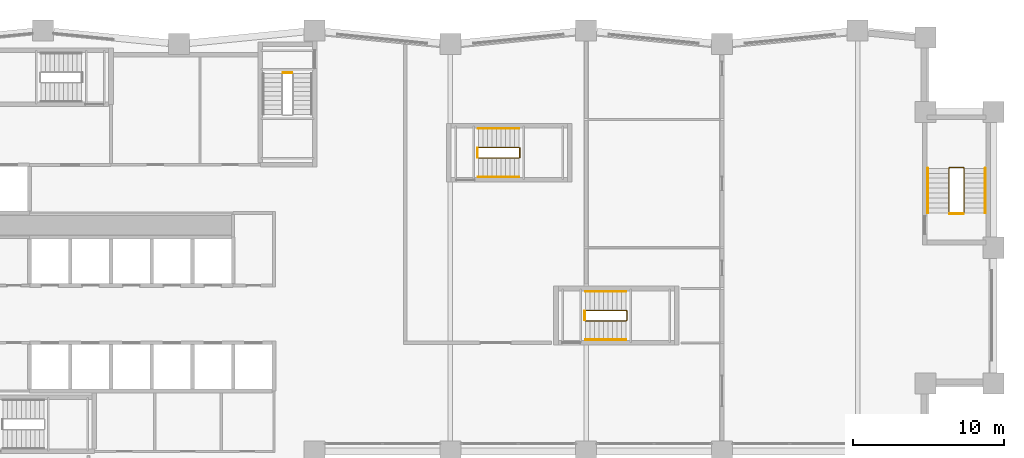
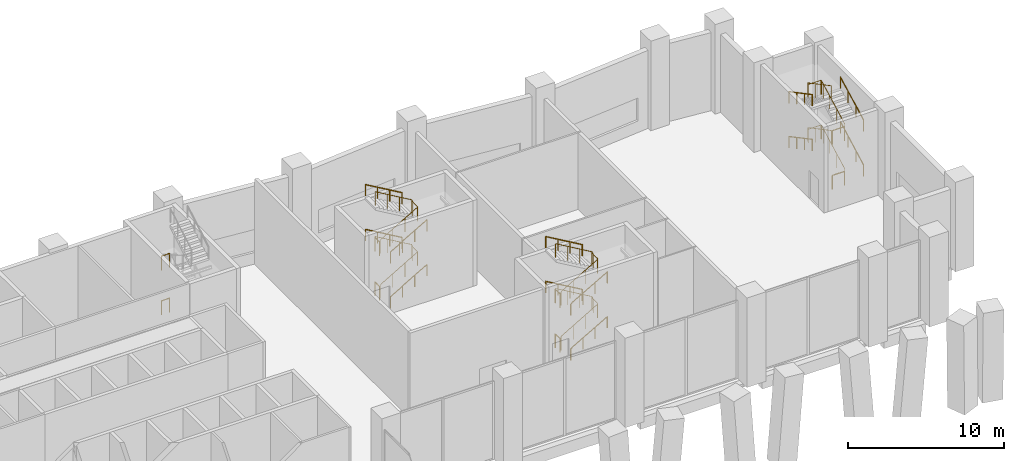
# One storey, part 18 of 18: 26 railings.
"""IFC4 building model written with IfcOpenShell, lengths in metres."""

from ifc_helpers import new_model, si_unit, direction, frame, origin, origin_2d, place, context, subcontext, project, spatial, circle, extrude, material, type_object, element, save


model = new_model("IFC4")

# Units and contexts
model_context = context("Model", 3, precision=1e-05, world=origin(), true_north=direction((0.0, 1.0)))
body_context = subcontext(model_context, "Body", "Model", "MODEL_VIEW")
ifc_project = project(units=[si_unit("LENGTHUNIT", "METRE"), si_unit("AREAUNIT", "SQUARE_METRE"), si_unit("VOLUMEUNIT", "CUBIC_METRE"), si_unit("PLANEANGLEUNIT", "RADIAN"), si_unit("MASSUNIT", "GRAM", prefix="KILO")], contexts=[model_context])

# Site, building, storey
site_placement = place(None, origin())
site = spatial("IfcSite", under=ifc_project, at=site_placement, CompositionType="ELEMENT")
building_placement = place(site_placement, origin())
building = spatial("IfcBuilding", under=site, at=building_placement, Name="Brondeck Convention Tower", CompositionType="ELEMENT")
storey_placement = place(building_placement, frame((0.0, 0.0, 7.5)))
storey = spatial("IfcBuildingStorey", under=building, at=storey_placement, Name="L01", CompositionType="ELEMENT", Elevation=7.5)

# Railings
ifc_material = material(Name="Steel S355", Category="steel")
railing_type_1 = type_object("IfcRailingType", Name="Stair guard 1100", PredefinedType="GUARDRAIL", material=ifc_material)
for number, where, name in (
    (1, (24.89990234375, 61.10009765625, 3.5), "L01 ST-2 stair guard 2"),
    (2, (24.89990234375, 61.10009765625, 0.0), "L01 ST-2 stair guard 4"),
):
    element("IfcRailing", number, at=place(storey_placement, frame(where)), inside=storey, type_object=railing_type_1, Name=name, PredefinedType="GUARDRAIL", context=body_context, shape_type="SweptSolid", body=[
        extrude(circle(Radius=0.02392578125, at=origin_2d()), frame((0.0, 0.0, 1.076171875), z_axis=(1.0, 0.0, 0.0), x_axis=(0.0, 1.0, 0.0)), (0.0, 0.0, 1.0), 0.60009765625),
        extrude(circle(Radius=0.02099609375, at=origin_2d()), origin(), (0.0, 0.0, 1.0), 1.052001953125),
        extrude(circle(Radius=0.02099609375, at=origin_2d()), frame((0.60009765625, 0.0, 0.0)), (0.0, 0.0, 1.0), 1.052001953125),
    ])
railing_1_placement = place(storey_placement, frame((37.85009765625, 55.449951171875, 0.175048828125)))
element("IfcRailing", 3, at=railing_1_placement, inside=storey, type_object=railing_type_1, Name="L01 ST-AE stair guard 1", PredefinedType="GUARDRAIL", context=body_context, shape_type="SweptSolid", body=[
    extrude(circle(Radius=0.02392578125, at=origin_2d()), frame((0.0, 0.0, 1.076171875), z_axis=(0.863781733769, 0.0, 0.503866169142), x_axis=(0.0, 1.0, 0.0)), (0.0, 0.0, 1.0), 3.125732421875),
    extrude(circle(Radius=0.02392578125, at=origin_2d()), frame((2.699951171875, 0.0, 2.65087890625), z_axis=(0.707106781187, 0.707106781187, 0.0), x_axis=(-0.707106781187, 0.707106781187, 0.0)), (0.0, 0.0, 1.0), 0.07080078125),
    extrude(circle(Radius=0.02392578125, at=origin_2d()), frame((2.75, 0.050048828125, 2.65087890625), z_axis=(0.0, 1.0, 0.0), x_axis=(-1.0, 0.0, 0.0)), (0.0, 0.0, 1.0), 0.60009765625),
    extrude(circle(Radius=0.02392578125, at=origin_2d()), frame((2.75, 0.650146484375, 2.65087890625), z_axis=(-0.265155923931, 0.263862480399, 0.927399011991), x_axis=(-0.705375805398, -0.708833529934, 0.0)), (0.0, 0.0, 1.0), 0.188720703125),
    extrude(circle(Radius=0.02392578125, at=origin_2d()), frame((2.699951171875, 0.699951171875, 2.826171875), z_axis=(-0.863781733769, 0.0, 0.503866169142), x_axis=(0.0, -1.0, 0.0)), (0.0, 0.0, 1.0), 3.125732421875),
    extrude(circle(Radius=0.02099609375, at=origin_2d()), origin(), (0.0, 0.0, 1.0), 1.052001953125),
    extrude(circle(Radius=0.02099609375, at=origin_2d()), frame((0.89990234375, 0.0, 0.52490234375)), (0.0, 0.0, 1.0), 1.052001953125),
    extrude(circle(Radius=0.02099609375, at=origin_2d()), frame((1.800048828125, 0.0, 1.050048828125)), (0.0, 0.0, 1.0), 1.052001953125),
    extrude(circle(Radius=0.02099609375, at=origin_2d()), frame((2.699951171875, 0.0, 1.574951171875)), (0.0, 0.0, 1.0), 1.052001953125),
    extrude(circle(Radius=0.02099609375, at=origin_2d()), frame((2.75, 0.050048828125, 1.574951171875)), (0.0, 0.0, 1.0), 1.052001953125),
    extrude(circle(Radius=0.02099609375, at=origin_2d()), frame((2.75, 0.650146484375, 1.574951171875)), (0.0, 0.0, 1.0), 1.052001953125),
    extrude(circle(Radius=0.02099609375, at=origin_2d()), frame((2.699951171875, 0.699951171875, 1.75)), (0.0, 0.0, 1.0), 1.052001953125),
    extrude(circle(Radius=0.02099609375, at=origin_2d()), frame((1.800048828125, 0.699951171875, 2.27490234375)), (0.0, 0.0, 1.0), 1.052001953125),
    extrude(circle(Radius=0.02099609375, at=origin_2d()), frame((0.89990234375, 0.699951171875, 2.800048828125)), (0.0, 0.0, 1.0), 1.052001953125),
    extrude(circle(Radius=0.02099609375, at=origin_2d()), frame((0.0, 0.699951171875, 3.324951171875)), (0.0, 0.0, 1.0), 1.052001953125),
])
railing_2_placement = place(storey_placement, frame((37.800048828125, 55.5, 3.5)))
element("IfcRailing", 4, at=railing_2_placement, inside=storey, type_object=railing_type_1, Name="L01 ST-AE stair guard 2", PredefinedType="GUARDRAIL", context=body_context, shape_type="SweptSolid", body=[
    extrude(circle(Radius=0.02392578125, at=origin_2d()), frame((0.0, 0.0, 1.076171875), z_axis=(0.0, 1.0, 0.0), x_axis=(-1.0, 0.0, 0.0)), (0.0, 0.0, 1.0), 0.60009765625),
    extrude(circle(Radius=0.02099609375, at=origin_2d()), origin(), (0.0, 0.0, 1.0), 1.052001953125),
    extrude(circle(Radius=0.02099609375, at=origin_2d()), frame((0.0, 0.60009765625, 0.0)), (0.0, 0.0, 1.0), 1.052001953125),
])
railing_3_placement = place(storey_placement, frame((37.85009765625, 55.449951171875, 3.675048828125)))
element("IfcRailing", 5, at=railing_3_placement, inside=storey, type_object=railing_type_1, Name="L01 ST-AE stair guard 3", PredefinedType="GUARDRAIL", context=body_context, shape_type="SweptSolid", body=[
    extrude(circle(Radius=0.02392578125, at=origin_2d()), frame((0.0, 0.0, 1.076171875), z_axis=(0.863781733769, 0.0, 0.503866169142), x_axis=(0.0, 1.0, 0.0)), (0.0, 0.0, 1.0), 3.125732421875),
    extrude(circle(Radius=0.02392578125, at=origin_2d()), frame((2.699951171875, 0.0, 2.65087890625), z_axis=(0.707106781187, 0.707106781187, 0.0), x_axis=(-0.707106781187, 0.707106781187, 0.0)), (0.0, 0.0, 1.0), 0.07080078125),
    extrude(circle(Radius=0.02392578125, at=origin_2d()), frame((2.75, 0.050048828125, 2.65087890625), z_axis=(0.0, 1.0, 0.0), x_axis=(-1.0, 0.0, 0.0)), (0.0, 0.0, 1.0), 0.60009765625),
    extrude(circle(Radius=0.02392578125, at=origin_2d()), frame((2.75, 0.650146484375, 2.65087890625), z_axis=(-0.265155923931, 0.263862480399, 0.927399011991), x_axis=(-0.705375805398, -0.708833529934, 0.0)), (0.0, 0.0, 1.0), 0.188720703125),
    extrude(circle(Radius=0.02392578125, at=origin_2d()), frame((2.699951171875, 0.699951171875, 2.826171875), z_axis=(-0.863781733769, 0.0, 0.503866169142), x_axis=(0.0, -1.0, 0.0)), (0.0, 0.0, 1.0), 3.125732421875),
    extrude(circle(Radius=0.02099609375, at=origin_2d()), origin(), (0.0, 0.0, 1.0), 1.052001953125),
    extrude(circle(Radius=0.02099609375, at=origin_2d()), frame((0.89990234375, 0.0, 0.52490234375)), (0.0, 0.0, 1.0), 1.052001953125),
    extrude(circle(Radius=0.02099609375, at=origin_2d()), frame((1.800048828125, 0.0, 1.050048828125)), (0.0, 0.0, 1.0), 1.052001953125),
    extrude(circle(Radius=0.02099609375, at=origin_2d()), frame((2.699951171875, 0.0, 1.574951171875)), (0.0, 0.0, 1.0), 1.052001953125),
    extrude(circle(Radius=0.02099609375, at=origin_2d()), frame((2.75, 0.050048828125, 1.574951171875)), (0.0, 0.0, 1.0), 1.052001953125),
    extrude(circle(Radius=0.02099609375, at=origin_2d()), frame((2.75, 0.650146484375, 1.574951171875)), (0.0, 0.0, 1.0), 1.052001953125),
    extrude(circle(Radius=0.02099609375, at=origin_2d()), frame((2.699951171875, 0.699951171875, 1.75)), (0.0, 0.0, 1.0), 1.052001953125),
    extrude(circle(Radius=0.02099609375, at=origin_2d()), frame((1.800048828125, 0.699951171875, 2.27490234375)), (0.0, 0.0, 1.0), 1.052001953125),
    extrude(circle(Radius=0.02099609375, at=origin_2d()), frame((0.89990234375, 0.699951171875, 2.800048828125)), (0.0, 0.0, 1.0), 1.052001953125),
    extrude(circle(Radius=0.02099609375, at=origin_2d()), frame((0.0, 0.699951171875, 3.324951171875)), (0.0, 0.0, 1.0), 1.052001953125),
])
railing_4_placement = place(storey_placement, frame((37.800048828125, 55.5, 0.0)))
element("IfcRailing", 6, at=railing_4_placement, inside=storey, type_object=railing_type_1, Name="L01 ST-AE stair guard 4", PredefinedType="GUARDRAIL", context=body_context, shape_type="SweptSolid", body=[
    extrude(circle(Radius=0.02392578125, at=origin_2d()), frame((0.0, 0.0, 1.076171875), z_axis=(0.0, 1.0, 0.0), x_axis=(-1.0, 0.0, 0.0)), (0.0, 0.0, 1.0), 0.60009765625),
    extrude(circle(Radius=0.02099609375, at=origin_2d()), origin(), (0.0, 0.0, 1.0), 1.052001953125),
    extrude(circle(Radius=0.02099609375, at=origin_2d()), frame((0.0, 0.60009765625, 0.0)), (0.0, 0.0, 1.0), 1.052001953125),
])
railing_5_placement = place(storey_placement, frame((44.949951171875, 44.64990234375, 0.175048828125)))
element("IfcRailing", 7, at=railing_5_placement, inside=storey, type_object=railing_type_1, Name="L01 ST-AF stair guard 1", PredefinedType="GUARDRAIL", context=body_context, shape_type="SweptSolid", body=[
    extrude(circle(Radius=0.02392578125, at=origin_2d()), frame((0.0, 0.0, 1.076171875), z_axis=(0.863781733769, 0.0, 0.503866169142), x_axis=(0.0, 1.0, 0.0)), (0.0, 0.0, 1.0), 3.125732421875),
    extrude(circle(Radius=0.02392578125, at=origin_2d()), frame((2.699951171875, 0.0, 2.65087890625), z_axis=(0.707106781187, 0.707106781187, 0.0), x_axis=(-0.707106781187, 0.707106781187, 0.0)), (0.0, 0.0, 1.0), 0.07080078125),
    extrude(circle(Radius=0.02392578125, at=origin_2d()), frame((2.75, 0.050048828125, 2.65087890625), z_axis=(0.0, 1.0, 0.0), x_axis=(-1.0, 0.0, 0.0)), (0.0, 0.0, 1.0), 0.60009765625),
    extrude(circle(Radius=0.02392578125, at=origin_2d()), frame((2.75, 0.650146484375, 2.65087890625), z_axis=(-0.265065253269, 0.265065253269, 0.927081885822), x_axis=(-0.707106781187, -0.707106781187, 0.0)), (0.0, 0.0, 1.0), 0.188720703125),
    extrude(circle(Radius=0.02392578125, at=origin_2d()), frame((2.699951171875, 0.7001953125, 2.826171875), z_axis=(-0.863781733769, 0.0, 0.503866169142), x_axis=(0.0, -1.0, 0.0)), (0.0, 0.0, 1.0), 3.125732421875),
    extrude(circle(Radius=0.02099609375, at=origin_2d()), origin(), (0.0, 0.0, 1.0), 1.052001953125),
    extrude(circle(Radius=0.02099609375, at=origin_2d()), frame((0.89990234375, 0.0, 0.52490234375)), (0.0, 0.0, 1.0), 1.052001953125),
    extrude(circle(Radius=0.02099609375, at=origin_2d()), frame((1.800048828125, 0.0, 1.050048828125)), (0.0, 0.0, 1.0), 1.052001953125),
    extrude(circle(Radius=0.02099609375, at=origin_2d()), frame((2.699951171875, 0.0, 1.574951171875)), (0.0, 0.0, 1.0), 1.052001953125),
    extrude(circle(Radius=0.02099609375, at=origin_2d()), frame((2.75, 0.050048828125, 1.574951171875)), (0.0, 0.0, 1.0), 1.052001953125),
    extrude(circle(Radius=0.02099609375, at=origin_2d()), frame((2.75, 0.650146484375, 1.574951171875)), (0.0, 0.0, 1.0), 1.052001953125),
    extrude(circle(Radius=0.02099609375, at=origin_2d()), frame((2.699951171875, 0.7001953125, 1.75)), (0.0, 0.0, 1.0), 1.052001953125),
    extrude(circle(Radius=0.02099609375, at=origin_2d()), frame((1.800048828125, 0.7001953125, 2.27490234375)), (0.0, 0.0, 1.0), 1.052001953125),
    extrude(circle(Radius=0.02099609375, at=origin_2d()), frame((0.89990234375, 0.7001953125, 2.800048828125)), (0.0, 0.0, 1.0), 1.052001953125),
    extrude(circle(Radius=0.02099609375, at=origin_2d()), frame((0.0, 0.7001953125, 3.324951171875)), (0.0, 0.0, 1.0), 1.052001953125),
])
railing_6_placement = place(storey_placement, frame((44.89990234375, 44.699951171875, 3.5)))
element("IfcRailing", 8, at=railing_6_placement, inside=storey, type_object=railing_type_1, Name="L01 ST-AF stair guard 2", PredefinedType="GUARDRAIL", context=body_context, shape_type="SweptSolid", body=[
    extrude(circle(Radius=0.02392578125, at=origin_2d()), frame((0.0, 0.0, 1.076171875), z_axis=(0.0, 1.0, 0.0), x_axis=(-1.0, 0.0, 0.0)), (0.0, 0.0, 1.0), 0.60009765625),
    extrude(circle(Radius=0.02099609375, at=origin_2d()), origin(), (0.0, 0.0, 1.0), 1.052001953125),
    extrude(circle(Radius=0.02099609375, at=origin_2d()), frame((0.0, 0.60009765625, 0.0)), (0.0, 0.0, 1.0), 1.052001953125),
])
railing_7_placement = place(storey_placement, frame((44.949951171875, 44.64990234375, 3.675048828125)))
element("IfcRailing", 9, at=railing_7_placement, inside=storey, type_object=railing_type_1, Name="L01 ST-AF stair guard 3", PredefinedType="GUARDRAIL", context=body_context, shape_type="SweptSolid", body=[
    extrude(circle(Radius=0.02392578125, at=origin_2d()), frame((0.0, 0.0, 1.076171875), z_axis=(0.863781733769, 0.0, 0.503866169142), x_axis=(0.0, 1.0, 0.0)), (0.0, 0.0, 1.0), 3.125732421875),
    extrude(circle(Radius=0.02392578125, at=origin_2d()), frame((2.699951171875, 0.0, 2.65087890625), z_axis=(0.707106781187, 0.707106781187, 0.0), x_axis=(-0.707106781187, 0.707106781187, 0.0)), (0.0, 0.0, 1.0), 0.07080078125),
    extrude(circle(Radius=0.02392578125, at=origin_2d()), frame((2.75, 0.050048828125, 2.65087890625), z_axis=(0.0, 1.0, 0.0), x_axis=(-1.0, 0.0, 0.0)), (0.0, 0.0, 1.0), 0.60009765625),
    extrude(circle(Radius=0.02392578125, at=origin_2d()), frame((2.75, 0.650146484375, 2.65087890625), z_axis=(-0.265065253269, 0.265065253269, 0.927081885822), x_axis=(-0.707106781187, -0.707106781187, 0.0)), (0.0, 0.0, 1.0), 0.188720703125),
    extrude(circle(Radius=0.02392578125, at=origin_2d()), frame((2.699951171875, 0.7001953125, 2.826171875), z_axis=(-0.863781733769, 0.0, 0.503866169142), x_axis=(0.0, -1.0, 0.0)), (0.0, 0.0, 1.0), 3.125732421875),
    extrude(circle(Radius=0.02099609375, at=origin_2d()), origin(), (0.0, 0.0, 1.0), 1.052001953125),
    extrude(circle(Radius=0.02099609375, at=origin_2d()), frame((0.89990234375, 0.0, 0.52490234375)), (0.0, 0.0, 1.0), 1.052001953125),
    extrude(circle(Radius=0.02099609375, at=origin_2d()), frame((1.800048828125, 0.0, 1.050048828125)), (0.0, 0.0, 1.0), 1.052001953125),
    extrude(circle(Radius=0.02099609375, at=origin_2d()), frame((2.699951171875, 0.0, 1.574951171875)), (0.0, 0.0, 1.0), 1.052001953125),
    extrude(circle(Radius=0.02099609375, at=origin_2d()), frame((2.75, 0.050048828125, 1.574951171875)), (0.0, 0.0, 1.0), 1.052001953125),
    extrude(circle(Radius=0.02099609375, at=origin_2d()), frame((2.75, 0.650146484375, 1.574951171875)), (0.0, 0.0, 1.0), 1.052001953125),
    extrude(circle(Radius=0.02099609375, at=origin_2d()), frame((2.699951171875, 0.7001953125, 1.75)), (0.0, 0.0, 1.0), 1.052001953125),
    extrude(circle(Radius=0.02099609375, at=origin_2d()), frame((1.800048828125, 0.7001953125, 2.27490234375)), (0.0, 0.0, 1.0), 1.052001953125),
    extrude(circle(Radius=0.02099609375, at=origin_2d()), frame((0.89990234375, 0.7001953125, 2.800048828125)), (0.0, 0.0, 1.0), 1.052001953125),
    extrude(circle(Radius=0.02099609375, at=origin_2d()), frame((0.0, 0.7001953125, 3.324951171875)), (0.0, 0.0, 1.0), 1.052001953125),
])
railing_8_placement = place(storey_placement, frame((44.89990234375, 44.699951171875, 0.0)))
element("IfcRailing", 10, at=railing_8_placement, inside=storey, type_object=railing_type_1, Name="L01 ST-AF stair guard 4", PredefinedType="GUARDRAIL", context=body_context, shape_type="SweptSolid", body=[
    extrude(circle(Radius=0.02392578125, at=origin_2d()), frame((0.0, 0.0, 1.076171875), z_axis=(0.0, 1.0, 0.0), x_axis=(-1.0, 0.0, 0.0)), (0.0, 0.0, 1.0), 0.60009765625),
    extrude(circle(Radius=0.02099609375, at=origin_2d()), origin(), (0.0, 0.0, 1.0), 1.052001953125),
    extrude(circle(Radius=0.02099609375, at=origin_2d()), frame((0.0, 0.60009765625, 0.0)), (0.0, 0.0, 1.0), 1.052001953125),
])
railing_9_placement = place(storey_placement, frame((70.050048828125, 51.800048828125, 0.175048828125)))
element("IfcRailing", 11, at=railing_9_placement, inside=storey, type_object=railing_type_1, Name="L01 PS-1 stair guard 1", PredefinedType="GUARDRAIL", context=body_context, shape_type="SweptSolid", body=[
    extrude(circle(Radius=0.02392578125, at=origin_2d()), frame((0.0, 0.0, 1.076171875), z_axis=(0.0, 0.88346620102, 0.468494900352), x_axis=(-1.0, 0.0, 0.0)), (0.0, 0.0, 1.0), 3.36181640625),
    extrude(circle(Radius=0.02392578125, at=origin_2d()), frame((0.0, 2.969970703125, 2.65087890625), z_axis=(-0.707106781187, 0.707106781187, 0.0), x_axis=(-0.707106781187, -0.707106781187, 0.0)), (0.0, 0.0, 1.0), 0.07080078125),
    extrude(circle(Radius=0.02392578125, at=origin_2d()), frame((-0.050048828125, 3.02001953125, 2.65087890625), z_axis=(-1.0, 0.0, 0.0), x_axis=(0.0, -1.0, 0.0)), (0.0, 0.0, 1.0), 0.89990234375),
    extrude(circle(Radius=0.02392578125, at=origin_2d()), frame((-0.949951171875, 3.02001953125, 2.65087890625), z_axis=(-0.265065253269, -0.265065253269, 0.927081885822), x_axis=(0.707106781187, -0.707106781187, 0.0)), (0.0, 0.0, 1.0), 0.188720703125),
    extrude(circle(Radius=0.02392578125, at=origin_2d()), frame((-1.0, 2.969970703125, 2.826171875), z_axis=(0.0, -0.88346620102, 0.468494900352), x_axis=(1.0, 0.0, 0.0)), (0.0, 0.0, 1.0), 3.36181640625),
    extrude(circle(Radius=0.02099609375, at=origin_2d()), origin(), (0.0, 0.0, 1.0), 1.052001953125),
    extrude(circle(Radius=0.02099609375, at=origin_2d()), frame((0.0, 0.989990234375, 0.52490234375)), (0.0, 0.0, 1.0), 1.052001953125),
    extrude(circle(Radius=0.02099609375, at=origin_2d()), frame((0.0, 1.97998046875, 1.050048828125)), (0.0, 0.0, 1.0), 1.052001953125),
    extrude(circle(Radius=0.02099609375, at=origin_2d()), frame((0.0, 2.969970703125, 1.574951171875)), (0.0, 0.0, 1.0), 1.052001953125),
    extrude(circle(Radius=0.02099609375, at=origin_2d()), frame((-0.050048828125, 3.02001953125, 1.574951171875)), (0.0, 0.0, 1.0), 1.052001953125),
    extrude(circle(Radius=0.02099609375, at=origin_2d()), frame((-0.949951171875, 3.02001953125, 1.574951171875)), (0.0, 0.0, 1.0), 1.052001953125),
    extrude(circle(Radius=0.02099609375, at=origin_2d()), frame((-1.0, 2.969970703125, 1.75)), (0.0, 0.0, 1.0), 1.052001953125),
    extrude(circle(Radius=0.02099609375, at=origin_2d()), frame((-1.0, 1.97998046875, 2.27490234375)), (0.0, 0.0, 1.0), 1.052001953125),
    extrude(circle(Radius=0.02099609375, at=origin_2d()), frame((-1.0, 0.989990234375, 2.800048828125)), (0.0, 0.0, 1.0), 1.052001953125),
    extrude(circle(Radius=0.02099609375, at=origin_2d()), frame((-1.0, 0.0, 3.324951171875)), (0.0, 0.0, 1.0), 1.052001953125),
])
railing_10_placement = place(storey_placement, frame((70.0, 51.75, 3.5)))
element("IfcRailing", 12, at=railing_10_placement, inside=storey, type_object=railing_type_1, Name="L01 PS-1 stair guard 2", PredefinedType="GUARDRAIL", context=body_context, shape_type="SweptSolid", body=[
    extrude(circle(Radius=0.02392578125, at=origin_2d()), frame((0.0, 0.0, 1.076171875), z_axis=(-1.0, 0.0, 0.0), x_axis=(0.0, -1.0, 0.0)), (0.0, 0.0, 1.0), 0.89990234375),
    extrude(circle(Radius=0.02099609375, at=origin_2d()), origin(), (0.0, 0.0, 1.0), 1.052001953125),
    extrude(circle(Radius=0.02099609375, at=origin_2d()), frame((-0.89990234375, 0.0, 0.0)), (0.0, 0.0, 1.0), 1.052001953125),
])
railing_11_placement = place(storey_placement, frame((70.050048828125, 51.800048828125, 3.675048828125)))
element("IfcRailing", 13, at=railing_11_placement, inside=storey, type_object=railing_type_1, Name="L01 PS-1 stair guard 3", PredefinedType="GUARDRAIL", context=body_context, shape_type="SweptSolid", body=[
    extrude(circle(Radius=0.02392578125, at=origin_2d()), frame((0.0, 0.0, 1.076171875), z_axis=(0.0, 0.88346620102, 0.468494900352), x_axis=(-1.0, 0.0, 0.0)), (0.0, 0.0, 1.0), 3.36181640625),
    extrude(circle(Radius=0.02392578125, at=origin_2d()), frame((0.0, 2.969970703125, 2.65087890625), z_axis=(-0.707106781187, 0.707106781187, 0.0), x_axis=(-0.707106781187, -0.707106781187, 0.0)), (0.0, 0.0, 1.0), 0.07080078125),
    extrude(circle(Radius=0.02392578125, at=origin_2d()), frame((-0.050048828125, 3.02001953125, 2.65087890625), z_axis=(-1.0, 0.0, 0.0), x_axis=(0.0, -1.0, 0.0)), (0.0, 0.0, 1.0), 0.89990234375),
    extrude(circle(Radius=0.02392578125, at=origin_2d()), frame((-0.949951171875, 3.02001953125, 2.65087890625), z_axis=(-0.265065253269, -0.265065253269, 0.927081885822), x_axis=(0.707106781187, -0.707106781187, 0.0)), (0.0, 0.0, 1.0), 0.188720703125),
    extrude(circle(Radius=0.02392578125, at=origin_2d()), frame((-1.0, 2.969970703125, 2.826171875), z_axis=(0.0, -0.88346620102, 0.468494900352), x_axis=(1.0, 0.0, 0.0)), (0.0, 0.0, 1.0), 3.36181640625),
    extrude(circle(Radius=0.02099609375, at=origin_2d()), origin(), (0.0, 0.0, 1.0), 1.052001953125),
    extrude(circle(Radius=0.02099609375, at=origin_2d()), frame((0.0, 0.989990234375, 0.52490234375)), (0.0, 0.0, 1.0), 1.052001953125),
    extrude(circle(Radius=0.02099609375, at=origin_2d()), frame((0.0, 1.97998046875, 1.050048828125)), (0.0, 0.0, 1.0), 1.052001953125),
    extrude(circle(Radius=0.02099609375, at=origin_2d()), frame((0.0, 2.969970703125, 1.574951171875)), (0.0, 0.0, 1.0), 1.052001953125),
    extrude(circle(Radius=0.02099609375, at=origin_2d()), frame((-0.050048828125, 3.02001953125, 1.574951171875)), (0.0, 0.0, 1.0), 1.052001953125),
    extrude(circle(Radius=0.02099609375, at=origin_2d()), frame((-0.949951171875, 3.02001953125, 1.574951171875)), (0.0, 0.0, 1.0), 1.052001953125),
    extrude(circle(Radius=0.02099609375, at=origin_2d()), frame((-1.0, 2.969970703125, 1.75)), (0.0, 0.0, 1.0), 1.052001953125),
    extrude(circle(Radius=0.02099609375, at=origin_2d()), frame((-1.0, 1.97998046875, 2.27490234375)), (0.0, 0.0, 1.0), 1.052001953125),
    extrude(circle(Radius=0.02099609375, at=origin_2d()), frame((-1.0, 0.989990234375, 2.800048828125)), (0.0, 0.0, 1.0), 1.052001953125),
    extrude(circle(Radius=0.02099609375, at=origin_2d()), frame((-1.0, 0.0, 3.324951171875)), (0.0, 0.0, 1.0), 1.052001953125),
])
railing_12_placement = place(storey_placement, frame((70.0, 51.75, 0.0)))
element("IfcRailing", 14, at=railing_12_placement, inside=storey, type_object=railing_type_1, Name="L01 PS-1 stair guard 4", PredefinedType="GUARDRAIL", context=body_context, shape_type="SweptSolid", body=[
    extrude(circle(Radius=0.02392578125, at=origin_2d()), frame((0.0, 0.0, 1.076171875), z_axis=(-1.0, 0.0, 0.0), x_axis=(0.0, -1.0, 0.0)), (0.0, 0.0, 1.0), 0.89990234375),
    extrude(circle(Radius=0.02099609375, at=origin_2d()), origin(), (0.0, 0.0, 1.0), 1.052001953125),
    extrude(circle(Radius=0.02099609375, at=origin_2d()), frame((-0.89990234375, 0.0, 0.0)), (0.0, 0.0, 1.0), 1.052001953125),
])
railing_type_2 = type_object("IfcRailingType", Name="Stair handrail", PredefinedType="HANDRAIL", material=ifc_material)
railing_13_placement = place(storey_placement, frame((37.85009765625, 54.199951171875, 0.175048828125)))
element("IfcRailing", 15, at=railing_13_placement, inside=storey, type_object=railing_type_2, Name="L01 ST-AE stair handrail 1", PredefinedType="HANDRAIL", context=body_context, shape_type="SweptSolid", body=[
    extrude(circle(Radius=0.02392578125, at=origin_2d()), frame((0.0, 0.0, 0.8759765625), z_axis=(0.863781733769, 0.0, 0.503866169142), x_axis=(0.0, 1.0, 0.0)), (0.0, 0.0, 1.0), 3.125732421875),
    extrude(circle(Radius=0.02099609375, at=origin_2d()), origin(), (0.0, 0.0, 1.0), 0.851806640625),
    extrude(circle(Radius=0.02099609375, at=origin_2d()), frame((0.89990234375, 0.0, 0.52490234375)), (0.0, 0.0, 1.0), 0.851806640625),
    extrude(circle(Radius=0.02099609375, at=origin_2d()), frame((1.800048828125, 0.0, 1.050048828125)), (0.0, 0.0, 1.0), 0.851806640625),
    extrude(circle(Radius=0.02099609375, at=origin_2d()), frame((2.699951171875, 0.0, 1.574951171875)), (0.0, 0.0, 1.0), 0.851806640625),
])
railing_14_placement = place(storey_placement, frame((40.550048828125, 57.39990234375, 1.925048828125)))
element("IfcRailing", 16, at=railing_14_placement, inside=storey, type_object=railing_type_2, Name="L01 ST-AE stair handrail 2", PredefinedType="HANDRAIL", context=body_context, shape_type="SweptSolid", body=[
    extrude(circle(Radius=0.02392578125, at=origin_2d()), frame((0.0, 0.0, 0.8759765625), z_axis=(-0.863781733769, 0.0, 0.503866169142), x_axis=(0.0, -1.0, 0.0)), (0.0, 0.0, 1.0), 3.125732421875),
    extrude(circle(Radius=0.02099609375, at=origin_2d()), origin(), (0.0, 0.0, 1.0), 0.851806640625),
    extrude(circle(Radius=0.02099609375, at=origin_2d()), frame((-0.89990234375, 0.0, 0.52490234375)), (0.0, 0.0, 1.0), 0.851806640625),
    extrude(circle(Radius=0.02099609375, at=origin_2d()), frame((-1.800048828125, 0.0, 1.050048828125)), (0.0, 0.0, 1.0), 0.851806640625),
    extrude(circle(Radius=0.02099609375, at=origin_2d()), frame((-2.699951171875, 0.0, 1.574951171875)), (0.0, 0.0, 1.0), 0.851806640625),
])
railing_15_placement = place(storey_placement, frame((37.85009765625, 54.199951171875, 3.675048828125)))
element("IfcRailing", 17, at=railing_15_placement, inside=storey, type_object=railing_type_2, Name="L01 ST-AE stair handrail 3", PredefinedType="HANDRAIL", context=body_context, shape_type="SweptSolid", body=[
    extrude(circle(Radius=0.02392578125, at=origin_2d()), frame((0.0, 0.0, 0.8759765625), z_axis=(0.863781733769, 0.0, 0.503866169142), x_axis=(0.0, 1.0, 0.0)), (0.0, 0.0, 1.0), 3.125732421875),
    extrude(circle(Radius=0.02099609375, at=origin_2d()), origin(), (0.0, 0.0, 1.0), 0.851806640625),
    extrude(circle(Radius=0.02099609375, at=origin_2d()), frame((0.89990234375, 0.0, 0.52490234375)), (0.0, 0.0, 1.0), 0.851806640625),
    extrude(circle(Radius=0.02099609375, at=origin_2d()), frame((1.800048828125, 0.0, 1.050048828125)), (0.0, 0.0, 1.0), 0.851806640625),
    extrude(circle(Radius=0.02099609375, at=origin_2d()), frame((2.699951171875, 0.0, 1.574951171875)), (0.0, 0.0, 1.0), 0.851806640625),
])
railing_16_placement = place(storey_placement, frame((40.550048828125, 57.39990234375, 5.425048828125)))
element("IfcRailing", 18, at=railing_16_placement, inside=storey, type_object=railing_type_2, Name="L01 ST-AE stair handrail 4", PredefinedType="HANDRAIL", context=body_context, shape_type="SweptSolid", body=[
    extrude(circle(Radius=0.02392578125, at=origin_2d()), frame((0.0, 0.0, 0.8759765625), z_axis=(-0.863781733769, 0.0, 0.503866169142), x_axis=(0.0, -1.0, 0.0)), (0.0, 0.0, 1.0), 3.125732421875),
    extrude(circle(Radius=0.02099609375, at=origin_2d()), origin(), (0.0, 0.0, 1.0), 0.851806640625),
    extrude(circle(Radius=0.02099609375, at=origin_2d()), frame((-0.89990234375, 0.0, 0.52490234375)), (0.0, 0.0, 1.0), 0.851806640625),
    extrude(circle(Radius=0.02099609375, at=origin_2d()), frame((-1.800048828125, 0.0, 1.050048828125)), (0.0, 0.0, 1.0), 0.851806640625),
    extrude(circle(Radius=0.02099609375, at=origin_2d()), frame((-2.699951171875, 0.0, 1.574951171875)), (0.0, 0.0, 1.0), 0.851806640625),
])
railing_17_placement = place(storey_placement, frame((44.949951171875, 43.39990234375, 0.175048828125)))
element("IfcRailing", 19, at=railing_17_placement, inside=storey, type_object=railing_type_2, Name="L01 ST-AF stair handrail 1", PredefinedType="HANDRAIL", context=body_context, shape_type="SweptSolid", body=[
    extrude(circle(Radius=0.02392578125, at=origin_2d()), frame((0.0, 0.0, 0.8759765625), z_axis=(0.863781733769, 0.0, 0.503866169142), x_axis=(0.0, 1.0, 0.0)), (0.0, 0.0, 1.0), 3.125732421875),
    extrude(circle(Radius=0.02099609375, at=origin_2d()), origin(), (0.0, 0.0, 1.0), 0.851806640625),
    extrude(circle(Radius=0.02099609375, at=origin_2d()), frame((0.89990234375, 0.0, 0.52490234375)), (0.0, 0.0, 1.0), 0.851806640625),
    extrude(circle(Radius=0.02099609375, at=origin_2d()), frame((1.800048828125, 0.0, 1.050048828125)), (0.0, 0.0, 1.0), 0.851806640625),
    extrude(circle(Radius=0.02099609375, at=origin_2d()), frame((2.699951171875, 0.0, 1.574951171875)), (0.0, 0.0, 1.0), 0.851806640625),
])
railing_18_placement = place(storey_placement, frame((47.64990234375, 46.60009765625, 1.925048828125)))
element("IfcRailing", 20, at=railing_18_placement, inside=storey, type_object=railing_type_2, Name="L01 ST-AF stair handrail 2", PredefinedType="HANDRAIL", context=body_context, shape_type="SweptSolid", body=[
    extrude(circle(Radius=0.02392578125, at=origin_2d()), frame((0.0, 0.0, 0.8759765625), z_axis=(-0.863781733769, 0.0, 0.503866169142), x_axis=(0.0, -1.0, 0.0)), (0.0, 0.0, 1.0), 3.125732421875),
    extrude(circle(Radius=0.02099609375, at=origin_2d()), origin(), (0.0, 0.0, 1.0), 0.851806640625),
    extrude(circle(Radius=0.02099609375, at=origin_2d()), frame((-0.89990234375, 0.0, 0.52490234375)), (0.0, 0.0, 1.0), 0.851806640625),
    extrude(circle(Radius=0.02099609375, at=origin_2d()), frame((-1.800048828125, 0.0, 1.050048828125)), (0.0, 0.0, 1.0), 0.851806640625),
    extrude(circle(Radius=0.02099609375, at=origin_2d()), frame((-2.699951171875, 0.0, 1.574951171875)), (0.0, 0.0, 1.0), 0.851806640625),
])
railing_19_placement = place(storey_placement, frame((44.949951171875, 43.39990234375, 3.675048828125)))
element("IfcRailing", 21, at=railing_19_placement, inside=storey, type_object=railing_type_2, Name="L01 ST-AF stair handrail 3", PredefinedType="HANDRAIL", context=body_context, shape_type="SweptSolid", body=[
    extrude(circle(Radius=0.02392578125, at=origin_2d()), frame((0.0, 0.0, 0.8759765625), z_axis=(0.863781733769, 0.0, 0.503866169142), x_axis=(0.0, 1.0, 0.0)), (0.0, 0.0, 1.0), 3.125732421875),
    extrude(circle(Radius=0.02099609375, at=origin_2d()), origin(), (0.0, 0.0, 1.0), 0.851806640625),
    extrude(circle(Radius=0.02099609375, at=origin_2d()), frame((0.89990234375, 0.0, 0.52490234375)), (0.0, 0.0, 1.0), 0.851806640625),
    extrude(circle(Radius=0.02099609375, at=origin_2d()), frame((1.800048828125, 0.0, 1.050048828125)), (0.0, 0.0, 1.0), 0.851806640625),
    extrude(circle(Radius=0.02099609375, at=origin_2d()), frame((2.699951171875, 0.0, 1.574951171875)), (0.0, 0.0, 1.0), 0.851806640625),
])
railing_20_placement = place(storey_placement, frame((47.64990234375, 46.60009765625, 5.425048828125)))
element("IfcRailing", 22, at=railing_20_placement, inside=storey, type_object=railing_type_2, Name="L01 ST-AF stair handrail 4", PredefinedType="HANDRAIL", context=body_context, shape_type="SweptSolid", body=[
    extrude(circle(Radius=0.02392578125, at=origin_2d()), frame((0.0, 0.0, 0.8759765625), z_axis=(-0.863781733769, 0.0, 0.503866169142), x_axis=(0.0, -1.0, 0.0)), (0.0, 0.0, 1.0), 3.125732421875),
    extrude(circle(Radius=0.02099609375, at=origin_2d()), origin(), (0.0, 0.0, 1.0), 0.851806640625),
    extrude(circle(Radius=0.02099609375, at=origin_2d()), frame((-0.89990234375, 0.0, 0.52490234375)), (0.0, 0.0, 1.0), 0.851806640625),
    extrude(circle(Radius=0.02099609375, at=origin_2d()), frame((-1.800048828125, 0.0, 1.050048828125)), (0.0, 0.0, 1.0), 0.851806640625),
    extrude(circle(Radius=0.02099609375, at=origin_2d()), frame((-2.699951171875, 0.0, 1.574951171875)), (0.0, 0.0, 1.0), 0.851806640625),
])
railing_21_placement = place(storey_placement, frame((71.449951171875, 51.800048828125, 0.175048828125)))
element("IfcRailing", 23, at=railing_21_placement, inside=storey, type_object=railing_type_2, Name="L01 PS-1 stair handrail 1", PredefinedType="HANDRAIL", context=body_context, shape_type="SweptSolid", body=[
    extrude(circle(Radius=0.02392578125, at=origin_2d()), frame((0.0, 0.0, 0.8759765625), z_axis=(0.0, 0.88346620102, 0.468494900352), x_axis=(-1.0, 0.0, 0.0)), (0.0, 0.0, 1.0), 3.36181640625),
    extrude(circle(Radius=0.02099609375, at=origin_2d()), origin(), (0.0, 0.0, 1.0), 0.851806640625),
    extrude(circle(Radius=0.02099609375, at=origin_2d()), frame((0.0, 0.989990234375, 0.52490234375)), (0.0, 0.0, 1.0), 0.851806640625),
    extrude(circle(Radius=0.02099609375, at=origin_2d()), frame((0.0, 1.97998046875, 1.050048828125)), (0.0, 0.0, 1.0), 0.851806640625),
    extrude(circle(Radius=0.02099609375, at=origin_2d()), frame((0.0, 2.969970703125, 1.574951171875)), (0.0, 0.0, 1.0), 0.851806640625),
])
railing_22_placement = place(storey_placement, frame((67.64990234375, 54.77001953125, 1.925048828125)))
element("IfcRailing", 24, at=railing_22_placement, inside=storey, type_object=railing_type_2, Name="L01 PS-1 stair handrail 2", PredefinedType="HANDRAIL", context=body_context, shape_type="SweptSolid", body=[
    extrude(circle(Radius=0.02392578125, at=origin_2d()), frame((0.0, 0.0, 0.8759765625), z_axis=(0.0, -0.88346620102, 0.468494900352), x_axis=(1.0, 0.0, 0.0)), (0.0, 0.0, 1.0), 3.36181640625),
    extrude(circle(Radius=0.02099609375, at=origin_2d()), origin(), (0.0, 0.0, 1.0), 0.851806640625),
    extrude(circle(Radius=0.02099609375, at=origin_2d()), frame((0.0, -0.989990234375, 0.52490234375)), (0.0, 0.0, 1.0), 0.851806640625),
    extrude(circle(Radius=0.02099609375, at=origin_2d()), frame((0.0, -1.97998046875, 1.050048828125)), (0.0, 0.0, 1.0), 0.851806640625),
    extrude(circle(Radius=0.02099609375, at=origin_2d()), frame((0.0, -2.969970703125, 1.574951171875)), (0.0, 0.0, 1.0), 0.851806640625),
])
railing_23_placement = place(storey_placement, frame((71.449951171875, 51.800048828125, 3.675048828125)))
element("IfcRailing", 25, at=railing_23_placement, inside=storey, type_object=railing_type_2, Name="L01 PS-1 stair handrail 3", PredefinedType="HANDRAIL", context=body_context, shape_type="SweptSolid", body=[
    extrude(circle(Radius=0.02392578125, at=origin_2d()), frame((0.0, 0.0, 0.8759765625), z_axis=(0.0, 0.88346620102, 0.468494900352), x_axis=(-1.0, 0.0, 0.0)), (0.0, 0.0, 1.0), 3.36181640625),
    extrude(circle(Radius=0.02099609375, at=origin_2d()), origin(), (0.0, 0.0, 1.0), 0.851806640625),
    extrude(circle(Radius=0.02099609375, at=origin_2d()), frame((0.0, 0.989990234375, 0.52490234375)), (0.0, 0.0, 1.0), 0.851806640625),
    extrude(circle(Radius=0.02099609375, at=origin_2d()), frame((0.0, 1.97998046875, 1.050048828125)), (0.0, 0.0, 1.0), 0.851806640625),
    extrude(circle(Radius=0.02099609375, at=origin_2d()), frame((0.0, 2.969970703125, 1.574951171875)), (0.0, 0.0, 1.0), 0.851806640625),
])
railing_24_placement = place(storey_placement, frame((67.64990234375, 54.77001953125, 5.425048828125)))
element("IfcRailing", 26, at=railing_24_placement, inside=storey, type_object=railing_type_2, Name="L01 PS-1 stair handrail 4", PredefinedType="HANDRAIL", context=body_context, shape_type="SweptSolid", body=[
    extrude(circle(Radius=0.02392578125, at=origin_2d()), frame((0.0, 0.0, 0.8759765625), z_axis=(0.0, -0.88346620102, 0.468494900352), x_axis=(1.0, 0.0, 0.0)), (0.0, 0.0, 1.0), 3.36181640625),
    extrude(circle(Radius=0.02099609375, at=origin_2d()), origin(), (0.0, 0.0, 1.0), 0.851806640625),
    extrude(circle(Radius=0.02099609375, at=origin_2d()), frame((0.0, -0.989990234375, 0.52490234375)), (0.0, 0.0, 1.0), 0.851806640625),
    extrude(circle(Radius=0.02099609375, at=origin_2d()), frame((0.0, -1.97998046875, 1.050048828125)), (0.0, 0.0, 1.0), 0.851806640625),
    extrude(circle(Radius=0.02099609375, at=origin_2d()), frame((0.0, -2.969970703125, 1.574951171875)), (0.0, 0.0, 1.0), 0.851806640625),
])

save(model, "model.ifc")
